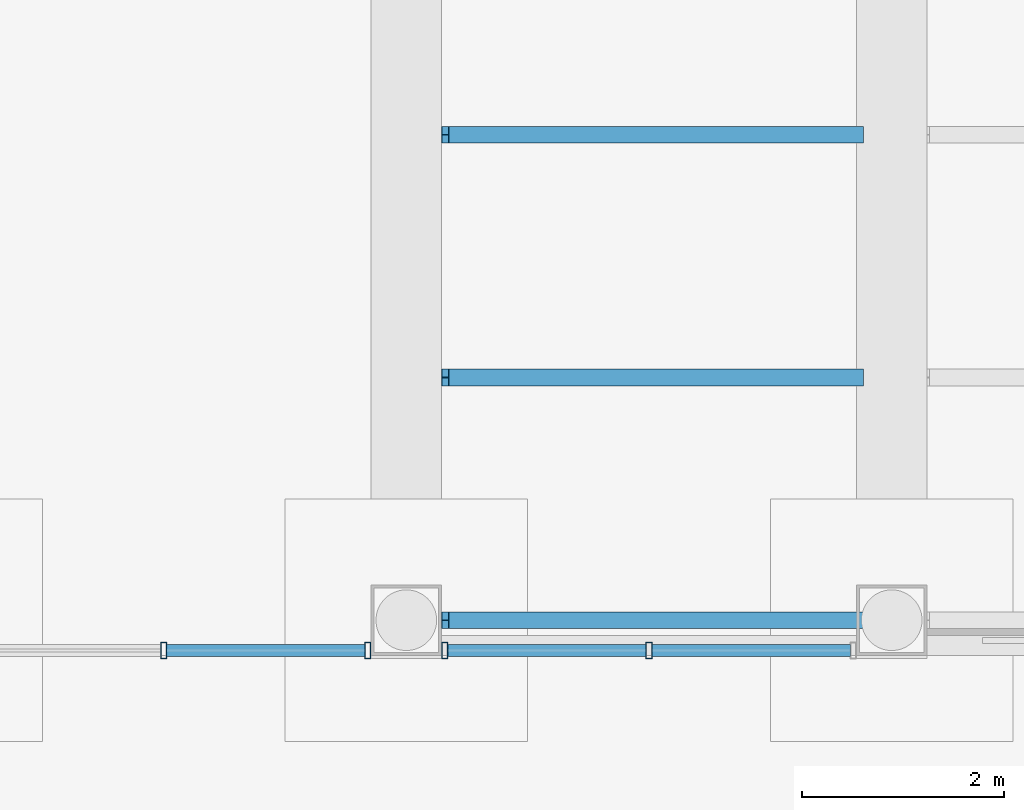
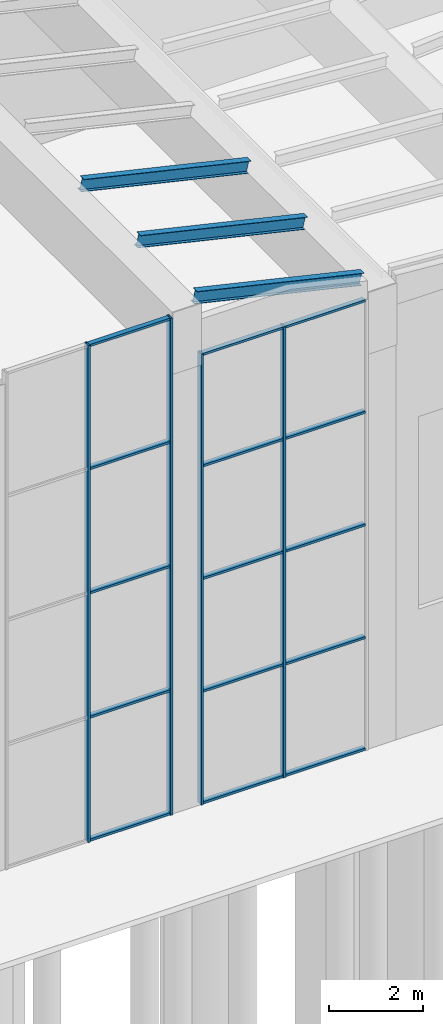
# One storey, part 20 of 58: 19 members, 3 beams, 2 elements without a shape of their own.
"""IFC4 building model written with IfcOpenShell, lengths in metres."""

from ifc_helpers import new_model, si_unit, direction, frame, origin, origin_2d, place, context, subcontext, project, spatial, hollow_rectangle, i_section, extrude, material, layer, layer_set, material_profile, profile_set, type_object, element, aggregate, save


model = new_model("IFC4")

# Units and contexts
model_context = context("Model", 3, precision=1e-05, world=origin(), true_north=direction((0.0, 1.0)))
body_context = subcontext(model_context, "Body", "Model", "MODEL_VIEW")
ifc_project = project(units=[si_unit("LENGTHUNIT", "METRE"), si_unit("AREAUNIT", "SQUARE_METRE"), si_unit("VOLUMEUNIT", "CUBIC_METRE"), si_unit("PLANEANGLEUNIT", "RADIAN"), si_unit("MASSUNIT", "GRAM", prefix="KILO")], contexts=[model_context])

# Site, building, storey
site_placement = place(None, origin())
site = spatial("IfcSite", under=ifc_project, at=site_placement, CompositionType="ELEMENT")
building_placement = place(site_placement, origin())
building = spatial("IfcBuilding", under=site, at=building_placement, Name="Baori Bourse Tower", CompositionType="ELEMENT")
storey_placement = place(building_placement, origin())
storey = spatial("IfcBuildingStorey", under=building, at=storey_placement, Name="L00", CompositionType="ELEMENT", Elevation=0.0)

# Beams
ifc_material_1 = material(Name="Steel A992 Gr 50", Category="steel")
ifc_material_profile_1 = material_profile(ifc_material_1, i_section(OverallWidth=0.164794921875, OverallDepth=0.309814453125, WebThickness=0.005859375, FlangeThickness=0.009765625, at=origin_2d()), Name="W12x26")
ifc_profile_set_1 = profile_set([ifc_material_profile_1], Name="Steel A992 Gr 50")
beam_type = type_object("IfcBeamType", Name="Wing beam W12x26", PredefinedType="BEAM", material=ifc_profile_set_1)
for number, where, z_axis, x_axis, name in (
    (1, (19.585205078125, -24.85009765625, 12.980224609375), (0.973884396971, 0.0, -0.227044447933), (0.0, 1.0, 0.0), "wing/L00/purlin/001"),
    (2, (19.585205078125, -22.449951171875, 12.980224609375), (0.973884396971, 0.0, -0.227044447933), (0.0, 1.0, 0.0), "wing/L00/purlin/002"),
    (3, (19.585205078125, -20.050048828125, 12.980224609375), (0.973884396971, 0.0, -0.227044447933), (0.0, 1.0, 0.0), "wing/L00/purlin/003"),
):
    element("IfcBeam", number, at=place(storey_placement, frame(where, z_axis=z_axis, x_axis=x_axis)), inside=storey, type_object=beam_type, Name=name, PredefinedType="BEAM", context=body_context, shape_type="SweptSolid", body=[
        extrude(i_section(OverallWidth=0.164794921875, OverallDepth=0.309814453125, WebThickness=0.005859375, FlangeThickness=0.009765625, at=origin_2d()), origin(), (0.0, 0.0, 1.0), 4.209716796875),
    ])

# Curtain wall, members
ifc_material_2 = material(Name="Pale anodised aluminium", Category="aluminium")
ifc_layer = layer(ifc_material_2, 0.10009765625)
ifc_layer_set = layer_set([ifc_layer], Name="Wing curtain wall")
curtain_wall_type = type_object("IfcCurtainWallType", Name="Wing curtain wall", PredefinedType="NOTDEFINED", material=ifc_layer_set)
curtain_wall_1_placement = place(storey_placement, origin())
curtain_wall_1 = element("IfcCurtainWall", 4, at=curtain_wall_1_placement, inside=storey, type_object=curtain_wall_type, Name="wing/L00/hallcw/003", PredefinedType="NOTDEFINED")
ifc_material_3 = material(Name="Pale anodised aluminium", Category="aluminium")
ifc_material_profile_2 = material_profile(ifc_material_3, hollow_rectangle(XDim=0.159912109375, YDim=0.06005859375, WallThickness=0.0048828125, at=origin_2d()), Name="Mullion 160x60x5")
ifc_profile_set_2 = profile_set([ifc_material_profile_2], Name="Pale anodised aluminium")
member_type_1 = type_object("IfcMemberType", Name="Wing mullion 60x160", PredefinedType="MULLION", material=ifc_profile_set_2)
member_1_placement = place(storey_placement, frame((16.800048828125, -25.14990234375, 0.0), z_axis=(0.0, 0.0, 1.0), x_axis=(0.0, 1.0, 0.0)))
member_1 = element("IfcMember", 5, at=member_1_placement, type_object=member_type_1, Name="X12 mullion 2", PredefinedType="MULLION", context=body_context, shape_type="SweptSolid", body=[
    extrude(hollow_rectangle(XDim=0.159912109375, YDim=0.06005859375, WallThickness=0.0048828125, at=origin_2d()), origin(), (0.0, 0.0, 1.0), 12.89990234375),
])
member_2_placement = place(storey_placement, frame((18.820068359375, -25.14990234375, 0.0), z_axis=(0.0, 0.0, 1.0), x_axis=(0.0, 1.0, 0.0)))
member_2 = element("IfcMember", 6, at=member_2_placement, type_object=member_type_1, Name="X12 mullion 3", PredefinedType="MULLION", context=body_context, shape_type="SweptSolid", body=[
    extrude(hollow_rectangle(XDim=0.159912109375, YDim=0.06005859375, WallThickness=0.0048828125, at=origin_2d()), origin(), (0.0, 0.0, 1.0), 12.89990234375),
])

curtain_wall_2_placement = place(storey_placement, origin())
curtain_wall_2 = element("IfcCurtainWall", 7, at=curtain_wall_2_placement, inside=storey, type_object=curtain_wall_type, Name="wing/L00/hallcw/004", PredefinedType="NOTDEFINED")
member_3_placement = place(storey_placement, frame((19.580078125, -25.14990234375, 0.0), z_axis=(0.0, 0.0, 1.0), x_axis=(0.0, 1.0, 0.0)))
member_3 = element("IfcMember", 8, at=member_3_placement, type_object=member_type_1, Name="X12 mullion 1", PredefinedType="MULLION", context=body_context, shape_type="SweptSolid", body=[
    extrude(hollow_rectangle(XDim=0.159912109375, YDim=0.06005859375, WallThickness=0.0048828125, at=origin_2d()), origin(), (0.0, 0.0, 1.0), 11.699951171875),
])
member_4_placement = place(storey_placement, frame((21.60009765625, -25.14990234375, 0.0), z_axis=(0.0, 0.0, 1.0), x_axis=(0.0, 1.0, 0.0)))
member_4 = element("IfcMember", 9, at=member_4_placement, type_object=member_type_1, Name="X12 mullion 2", PredefinedType="MULLION", context=body_context, shape_type="SweptSolid", body=[
    extrude(hollow_rectangle(XDim=0.159912109375, YDim=0.06005859375, WallThickness=0.0048828125, at=origin_2d()), origin(), (0.0, 0.0, 1.0), 11.699951171875),
])

# Member
ifc_material_4 = material(Name="Pale anodised aluminium", Category="aluminium")
ifc_material_profile_3 = material_profile(ifc_material_4, hollow_rectangle(XDim=0.1201171875, YDim=0.06005859375, WallThickness=0.0048828125, at=origin_2d()), Name="Transom 120x60x5")
ifc_profile_set_3 = profile_set([ifc_material_profile_3], Name="Pale anodised aluminium")
member_type_2 = type_object("IfcMemberType", Name="Wing transom 120x60", PredefinedType="USERDEFINED", material=ifc_profile_set_3)
member_5_placement = place(storey_placement, frame((16.830078125, -25.14990234375, 0.030029296875), z_axis=(1.0, 0.0, 0.0), x_axis=(0.0, 1.0, 0.0)))
member_5 = element("IfcMember", 10, at=member_5_placement, type_object=member_type_2, Name="X12 transom 2.1", ObjectType="TRANSOM", PredefinedType="USERDEFINED", context=body_context, shape_type="SweptSolid", body=[
    extrude(hollow_rectangle(XDim=0.1201171875, YDim=0.06005859375, WallThickness=0.0048828125, at=origin_2d()), origin(), (0.0, 0.0, 1.0), 1.9599609375),
])

member_6_placement = place(storey_placement, frame((16.830078125, -25.14990234375, 3.22509765625), z_axis=(1.0, 0.0, 0.0), x_axis=(0.0, 1.0, 0.0)))
member_6 = element("IfcMember", 11, at=member_6_placement, type_object=member_type_2, Name="X12 transom 2.2", ObjectType="TRANSOM", PredefinedType="USERDEFINED", context=body_context, shape_type="SweptSolid", body=[
    extrude(hollow_rectangle(XDim=0.1201171875, YDim=0.06005859375, WallThickness=0.0048828125, at=origin_2d()), origin(), (0.0, 0.0, 1.0), 1.9599609375),
])

member_7_placement = place(storey_placement, frame((16.830078125, -25.14990234375, 6.449951171875), z_axis=(1.0, 0.0, 0.0), x_axis=(0.0, 1.0, 0.0)))
member_7 = element("IfcMember", 12, at=member_7_placement, type_object=member_type_2, Name="X12 transom 2.3", ObjectType="TRANSOM", PredefinedType="USERDEFINED", context=body_context, shape_type="SweptSolid", body=[
    extrude(hollow_rectangle(XDim=0.1201171875, YDim=0.06005859375, WallThickness=0.0048828125, at=origin_2d()), origin(), (0.0, 0.0, 1.0), 1.9599609375),
])

member_8_placement = place(storey_placement, frame((16.830078125, -25.14990234375, 9.675048828125), z_axis=(1.0, 0.0, 0.0), x_axis=(0.0, 1.0, 0.0)))
member_8 = element("IfcMember", 13, at=member_8_placement, type_object=member_type_2, Name="X12 transom 2.4", ObjectType="TRANSOM", PredefinedType="USERDEFINED", context=body_context, shape_type="SweptSolid", body=[
    extrude(hollow_rectangle(XDim=0.1201171875, YDim=0.06005859375, WallThickness=0.0048828125, at=origin_2d()), origin(), (0.0, 0.0, 1.0), 1.9599609375),
])

member_9_placement = place(storey_placement, frame((16.830078125, -25.14990234375, 12.8701171875), z_axis=(1.0, 0.0, 0.0), x_axis=(0.0, 1.0, 0.0)))
member_9 = element("IfcMember", 14, at=member_9_placement, type_object=member_type_2, Name="X12 transom 2.5", ObjectType="TRANSOM", PredefinedType="USERDEFINED", context=body_context, shape_type="SweptSolid", body=[
    extrude(hollow_rectangle(XDim=0.1201171875, YDim=0.06005859375, WallThickness=0.0048828125, at=origin_2d()), origin(), (0.0, 0.0, 1.0), 1.9599609375),
])

aggregate(curtain_wall_1, [member_1, member_2, member_5, member_6, member_7, member_8, member_9])

member_10_placement = place(storey_placement, frame((19.610107421875, -25.14990234375, 0.030029296875), z_axis=(1.0, 0.0, 0.0), x_axis=(0.0, 1.0, 0.0)))
member_10 = element("IfcMember", 15, at=member_10_placement, type_object=member_type_2, Name="X12 transom 1.1", ObjectType="TRANSOM", PredefinedType="USERDEFINED", context=body_context, shape_type="SweptSolid", body=[
    extrude(hollow_rectangle(XDim=0.1201171875, YDim=0.06005859375, WallThickness=0.0048828125, at=origin_2d()), origin(), (0.0, 0.0, 1.0), 1.9599609375),
])

member_11_placement = place(storey_placement, frame((19.610107421875, -25.14990234375, 2.925048828125), z_axis=(1.0, 0.0, 0.0), x_axis=(0.0, 1.0, 0.0)))
member_11 = element("IfcMember", 16, at=member_11_placement, type_object=member_type_2, Name="X12 transom 1.2", ObjectType="TRANSOM", PredefinedType="USERDEFINED", context=body_context, shape_type="SweptSolid", body=[
    extrude(hollow_rectangle(XDim=0.1201171875, YDim=0.06005859375, WallThickness=0.0048828125, at=origin_2d()), origin(), (0.0, 0.0, 1.0), 1.9599609375),
])

member_12_placement = place(storey_placement, frame((19.610107421875, -25.14990234375, 5.85009765625), z_axis=(1.0, 0.0, 0.0), x_axis=(0.0, 1.0, 0.0)))
member_12 = element("IfcMember", 17, at=member_12_placement, type_object=member_type_2, Name="X12 transom 1.3", ObjectType="TRANSOM", PredefinedType="USERDEFINED", context=body_context, shape_type="SweptSolid", body=[
    extrude(hollow_rectangle(XDim=0.1201171875, YDim=0.06005859375, WallThickness=0.0048828125, at=origin_2d()), origin(), (0.0, 0.0, 1.0), 1.9599609375),
])

member_13_placement = place(storey_placement, frame((19.610107421875, -25.14990234375, 8.77490234375), z_axis=(1.0, 0.0, 0.0), x_axis=(0.0, 1.0, 0.0)))
member_13 = element("IfcMember", 18, at=member_13_placement, type_object=member_type_2, Name="X12 transom 1.4", ObjectType="TRANSOM", PredefinedType="USERDEFINED", context=body_context, shape_type="SweptSolid", body=[
    extrude(hollow_rectangle(XDim=0.1201171875, YDim=0.06005859375, WallThickness=0.0048828125, at=origin_2d()), origin(), (0.0, 0.0, 1.0), 1.9599609375),
])

member_14_placement = place(storey_placement, frame((19.610107421875, -25.14990234375, 11.669921875), z_axis=(1.0, 0.0, 0.0), x_axis=(0.0, 1.0, 0.0)))
member_14 = element("IfcMember", 19, at=member_14_placement, type_object=member_type_2, Name="X12 transom 1.5", ObjectType="TRANSOM", PredefinedType="USERDEFINED", context=body_context, shape_type="SweptSolid", body=[
    extrude(hollow_rectangle(XDim=0.1201171875, YDim=0.06005859375, WallThickness=0.0048828125, at=origin_2d()), origin(), (0.0, 0.0, 1.0), 1.9599609375),
])

member_15_placement = place(storey_placement, frame((21.6298828125, -25.14990234375, 0.030029296875), z_axis=(1.0, 0.0, 0.0), x_axis=(0.0, 1.0, 0.0)))
member_15 = element("IfcMember", 20, at=member_15_placement, type_object=member_type_2, Name="X12 transom 2.1", ObjectType="TRANSOM", PredefinedType="USERDEFINED", context=body_context, shape_type="SweptSolid", body=[
    extrude(hollow_rectangle(XDim=0.1201171875, YDim=0.06005859375, WallThickness=0.0048828125, at=origin_2d()), origin(), (0.0, 0.0, 1.0), 1.960205078125),
])

member_16_placement = place(storey_placement, frame((21.6298828125, -25.14990234375, 2.925048828125), z_axis=(1.0, 0.0, 0.0), x_axis=(0.0, 1.0, 0.0)))
member_16 = element("IfcMember", 21, at=member_16_placement, type_object=member_type_2, Name="X12 transom 2.2", ObjectType="TRANSOM", PredefinedType="USERDEFINED", context=body_context, shape_type="SweptSolid", body=[
    extrude(hollow_rectangle(XDim=0.1201171875, YDim=0.06005859375, WallThickness=0.0048828125, at=origin_2d()), origin(), (0.0, 0.0, 1.0), 1.960205078125),
])

member_17_placement = place(storey_placement, frame((21.6298828125, -25.14990234375, 5.85009765625), z_axis=(1.0, 0.0, 0.0), x_axis=(0.0, 1.0, 0.0)))
member_17 = element("IfcMember", 22, at=member_17_placement, type_object=member_type_2, Name="X12 transom 2.3", ObjectType="TRANSOM", PredefinedType="USERDEFINED", context=body_context, shape_type="SweptSolid", body=[
    extrude(hollow_rectangle(XDim=0.1201171875, YDim=0.06005859375, WallThickness=0.0048828125, at=origin_2d()), origin(), (0.0, 0.0, 1.0), 1.960205078125),
])

member_18_placement = place(storey_placement, frame((21.6298828125, -25.14990234375, 8.77490234375), z_axis=(1.0, 0.0, 0.0), x_axis=(0.0, 1.0, 0.0)))
member_18 = element("IfcMember", 23, at=member_18_placement, type_object=member_type_2, Name="X12 transom 2.4", ObjectType="TRANSOM", PredefinedType="USERDEFINED", context=body_context, shape_type="SweptSolid", body=[
    extrude(hollow_rectangle(XDim=0.1201171875, YDim=0.06005859375, WallThickness=0.0048828125, at=origin_2d()), origin(), (0.0, 0.0, 1.0), 1.960205078125),
])

member_19_placement = place(storey_placement, frame((21.6298828125, -25.14990234375, 11.669921875), z_axis=(1.0, 0.0, 0.0), x_axis=(0.0, 1.0, 0.0)))
member_19 = element("IfcMember", 24, at=member_19_placement, type_object=member_type_2, Name="X12 transom 2.5", ObjectType="TRANSOM", PredefinedType="USERDEFINED", context=body_context, shape_type="SweptSolid", body=[
    extrude(hollow_rectangle(XDim=0.1201171875, YDim=0.06005859375, WallThickness=0.0048828125, at=origin_2d()), origin(), (0.0, 0.0, 1.0), 1.960205078125),
])

aggregate(curtain_wall_2, [member_3, member_4, member_10, member_11, member_12, member_13, member_14, member_15, member_16, member_17, member_18, member_19])

save(model, "model.ifc")
